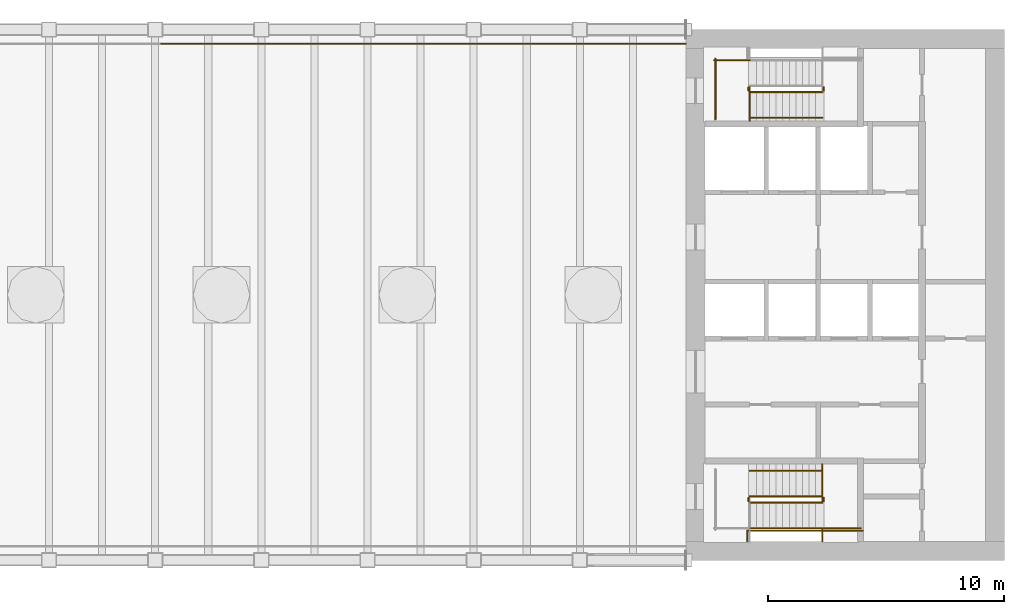
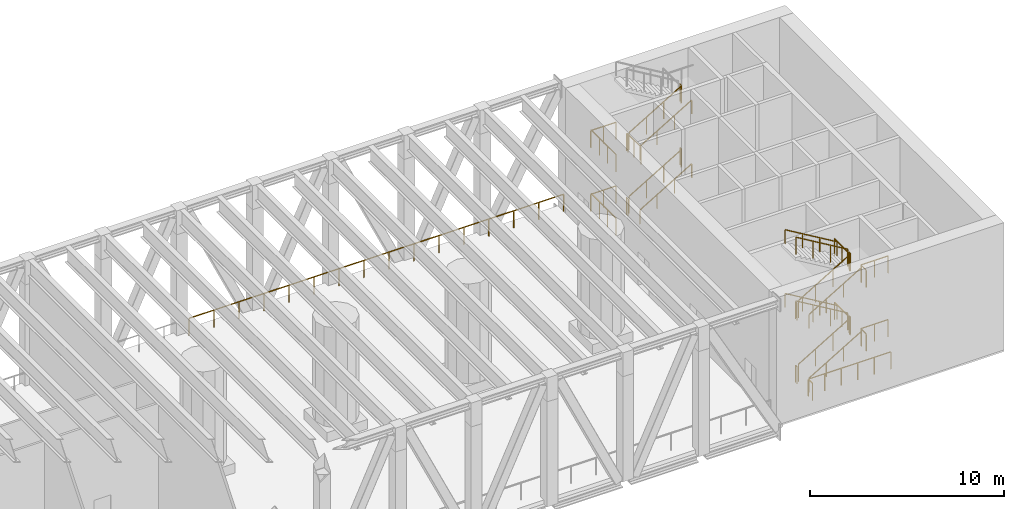
# One storey, part 8 of 11: 38 railings.
"""IFC4 building model written with IfcOpenShell, lengths in metres."""

import ifcopenshell
import ifcopenshell.guid

model = None  # the IFC model being written
_history = None  # IfcOwnerHistory: only IFC2X3 demands one
_inside = {}  # id of a spatial element -> (the spatial element, [elements in it])
_under = {}  # id of a project, library or spatial element -> (it, [spatial elements below it])
_declared = {}  # id of a project -> (the project, [libraries it declares])
_typed = {}  # id of a type object -> (the type object, [elements of that type])
_made_of = {}  # id of a material, layer set ... -> (it, [elements and type objects made of it])


def new_model(schema):
    """Start an empty IFC model of exactly this schema.

    Asked for "IFC4X3", IfcOpenShell would pick the latest addendum, in which some entities
    have other attributes; the version numbers below select the first issue.
    IFC2X3 requires an IfcOwnerHistory on every rooted entity: one is made here for all.
    """
    global model, _history
    if schema == "IFC4X3":
        model = ifcopenshell.file(schema_version=(4, 3, 0, 0))
    else:
        model = ifcopenshell.file(schema=schema)
    _inside.clear()
    _under.clear()
    _declared.clear()
    _typed.clear()
    _made_of.clear()
    _history = None
    if model.schema == "IFC2X3":
        org = make("IfcOrganization", Name="unknown")
        user = make(
            "IfcPersonAndOrganization",
            ThePerson=make("IfcPerson", FamilyName="unknown"),
            TheOrganization=org,
        )
        app = make(
            "IfcApplication",
            ApplicationDeveloper=org,
            Version="unknown",
            ApplicationFullName="unknown",
            ApplicationIdentifier="unknown",
        )
        _history = make(
            "IfcOwnerHistory",
            OwningUser=user,
            OwningApplication=app,
            ChangeAction="ADDED",
            CreationDate=0,
        )
    return model


def make(cls, **values):
    """One entity of the class cls with the attributes given. An attribute that is None is left unset."""
    return model.create_entity(
        cls, **{name: value for name, value in values.items() if value is not None}
    )


def rooted(cls, **values):
    """An entity with a GlobalId (a new one), such as an element, a storey or a relation."""
    return make(cls, GlobalId=ifcopenshell.guid.new(), OwnerHistory=_history, **values)


def si_unit(unit_type, name, prefix=None):
    """IfcSIUnit, for example si_unit("LENGTHUNIT", "METRE", prefix="MILLI")."""
    return make("IfcSIUnit", UnitType=unit_type, Prefix=prefix, Name=name)


def assignment(units):
    """IfcUnitAssignment: the units of a project."""
    return None if units is None else make("IfcUnitAssignment", Units=units)


def point(xyz):
    """IfcCartesianPoint."""
    return None if xyz is None else make("IfcCartesianPoint", Coordinates=xyz)


def direction(xyz):
    """IfcDirection."""
    return None if xyz is None else make("IfcDirection", DirectionRatios=xyz)


def frame(location, z_axis=None, x_axis=None):
    """IfcAxis2Placement3D, a coordinate frame: its origin and axes. An axis left out is left unset."""
    return make(
        "IfcAxis2Placement3D",
        Location=point(location),
        Axis=direction(z_axis),
        RefDirection=direction(x_axis),
    )


def frame_2d(location, x_axis=None):
    """IfcAxis2Placement2D, a coordinate frame in the plane: its origin and x axis."""
    return make(
        "IfcAxis2Placement2D", Location=point(location), RefDirection=direction(x_axis)
    )


def origin():
    """The frame at (0, 0, 0) with its axes left unset."""
    return frame((0.0, 0.0, 0.0))


def origin_2d():
    """The frame at (0, 0) in the plane with its x axis left unset."""
    return frame_2d((0.0, 0.0))


def place(relative_to, where):
    """IfcLocalPlacement: puts the frame where relative to a parent placement (None: the world)."""
    return make(
        "IfcLocalPlacement", PlacementRelTo=relative_to, RelativePlacement=where
    )


def context(
    kind, dimensions, precision=None, world=None, true_north=None, identifier=None
):
    """IfcGeometricRepresentationContext, for example the 3D "Model" context."""
    return make(
        "IfcGeometricRepresentationContext",
        ContextIdentifier=identifier,
        ContextType=kind,
        CoordinateSpaceDimension=dimensions,
        Precision=precision,
        WorldCoordinateSystem=world,
        TrueNorth=true_north,
    )


def subcontext(parent, identifier, kind, view, scale=None):
    """IfcGeometricRepresentationSubContext, for example "Body" below "Model"."""
    return make(
        "IfcGeometricRepresentationSubContext",
        ContextIdentifier=identifier,
        ContextType=kind,
        ParentContext=parent,
        TargetScale=scale,
        TargetView=view,
    )


def project(units=None, contexts=None):
    """IfcProject with its units and contexts."""
    return rooted(
        "IfcProject",
        Name="project",
        RepresentationContexts=contexts,
        UnitsInContext=assignment(units),
    )


def spatial(cls, under=None, at=None, **own):
    """A site, building, storey or space (cls), placed at a placement, below another one or the project."""
    s = rooted(cls, ObjectPlacement=at, **own)
    if under is not None:
        _under.setdefault(under.id(), (under, []))[1].append(s)
    return s


def profile(cls, at=None, kind="AREA", **sizes):
    """A parametric profile (cls). Its sizes go by their IFC names, for example OverallWidth=200.0."""
    return make(cls, ProfileType=kind, Position=at, **sizes)


def rectangle(**sizes):
    """IfcRectangleProfileDef."""
    return profile("IfcRectangleProfileDef", **sizes)


def extrude(swept, where, along, depth):
    """IfcExtrudedAreaSolid: the profile swept, set in the frame where, extruded along a direction by depth."""
    return make(
        "IfcExtrudedAreaSolid",
        SweptArea=swept,
        Position=where,
        ExtrudedDirection=direction(along),
        Depth=depth,
    )


def shape(context_of_items, identifier, shape_type, items):
    """IfcShapeRepresentation: the items that make up one representation, for example the "Body"."""
    return make(
        "IfcShapeRepresentation",
        ContextOfItems=context_of_items,
        RepresentationIdentifier=identifier,
        RepresentationType=shape_type,
        Items=items,
    )


def material(Name=None, Category=None):
    """IfcMaterial."""
    return make("IfcMaterial", Name=Name, Category=Category)


def made_of(thing, what):
    """Note that an element or type object is made of a material, layer set ...; save() writes the relation."""
    if what is not None:
        _made_of.setdefault(what.id(), (what, []))[1].append(thing)
    return thing


def type_object(cls, material=None, **own):
    """A type object (cls), such as IfcWallType, which elements share."""
    return made_of(rooted(cls, **own), material)


def element(
    cls,
    number,
    at=None,
    inside=None,
    cuts=None,
    type_object=None,
    material=None,
    context=None,
    identifier="Body",
    shape_type=None,
    held_by="IfcProductDefinitionShape",
    body=None,
    shapes=None,
    **own,
):
    """One element of the class cls, such as IfcWall. Its Tag is "e" and its number.

    at: its placement. inside: the storey or other place that contains it. cuts: it is an
    opening in that element (IfcRelVoidsElement). A single representation is given by context,
    identifier, shape_type and body (its items); several are given by shapes. held_by: the class
    of the entity that holds the representations. save() writes the other relations.
    """
    e = rooted(cls, Tag="e%d" % number, ObjectPlacement=at, **own)
    if body is not None:
        shapes = [shape(context, identifier, shape_type, body)]
    if shapes is not None:
        e.Representation = make(held_by, Representations=shapes)
    if inside is not None:
        _inside.setdefault(inside.id(), (inside, []))[1].append(e)
    if cuts is not None:
        rooted(
            "IfcRelVoidsElement", RelatingBuildingElement=cuts, RelatedOpeningElement=e
        )
    if type_object is not None:
        _typed.setdefault(type_object.id(), (type_object, []))[1].append(e)
    return made_of(e, material)


def aggregate(whole, parts):
    """IfcRelAggregates: a whole, such as a stair, and the parts it consists of."""
    return rooted("IfcRelAggregates", RelatingObject=whole, RelatedObjects=parts)


def save(model, path):
    """Write the relations noted so far, then the file.

    IfcRelAggregates (storeys below a building ...), IfcRelContainedInSpatialStructure (elements
    in a storey), IfcRelDefinesByType, IfcRelAssociatesMaterial and IfcRelDeclares: one each for
    every whole, place, type object, material and project.
    """
    for whole, parts in _under.values():
        aggregate(whole, parts)
    for where, things in _inside.values():
        rooted(
            "IfcRelContainedInSpatialStructure",
            RelatedElements=things,
            RelatingStructure=where,
        )
    for kind, things in _typed.values():
        rooted("IfcRelDefinesByType", RelatedObjects=things, RelatingType=kind)
    for what, things in _made_of.values():
        rooted("IfcRelAssociatesMaterial", RelatedObjects=things, RelatingMaterial=what)
    for by, libraries in _declared.values():
        rooted("IfcRelDeclares", RelatingContext=by, RelatedDefinitions=libraries)
    model.write(path)


model = new_model("IFC4")

# Units and contexts
model_context = context("Model", 3, precision=1e-05, world=origin(), true_north=direction((0.0, 1.0)))
body_context = subcontext(model_context, "Body", "Model", "MODEL_VIEW")
ifc_project = project(units=[si_unit("LENGTHUNIT", "METRE"), si_unit("AREAUNIT", "SQUARE_METRE"), si_unit("VOLUMEUNIT", "CUBIC_METRE"), si_unit("PLANEANGLEUNIT", "RADIAN"), si_unit("MASSUNIT", "GRAM", prefix="KILO")], contexts=[model_context])

# Site, building, storey
site_placement = place(None, origin())
site = spatial("IfcSite", under=ifc_project, at=site_placement, CompositionType="ELEMENT")
building_placement = place(site_placement, origin())
building = spatial("IfcBuilding", under=site, at=building_placement, Name="Sennacour Bend Tower", CompositionType="ELEMENT")
storey_placement = place(building_placement, frame((0.0, 0.0, 297.0)))
storey = spatial("IfcBuildingStorey", under=building, at=storey_placement, Name="L69", CompositionType="ELEMENT", Elevation=297.0)

# Railings
ifc_material_1 = material(Name="Stainless steel 316", Category="steel")
railing_type_1 = type_object("IfcRailingType", Name="GUARD 1100", PredefinedType="GUARDRAIL", material=ifc_material_1)
railing_1_placement = place(storey_placement, frame((31.74951171875, 21.89990234375, 0.0)))
element("IfcRailing", 1, at=railing_1_placement, inside=storey, type_object=railing_type_1, Name="Guard L69", PredefinedType="GUARDRAIL", context=body_context, shape_type="SweptSolid", body=[
    extrude(rectangle(XDim=0.048095703125, YDim=0.048095703125, at=origin_2d()), frame((0.0, 0.0, 1.076171875), z_axis=(1.0, 0.0, 0.0), x_axis=(0.0, 1.0, 0.0)), (0.0, 0.0, 1.0), 4.44970703125),
    extrude(rectangle(XDim=0.0419921875, YDim=0.0419921875, at=origin_2d()), origin(), (0.0, 0.0, 1.0), 1.052001953125),
    extrude(rectangle(XDim=0.0419921875, YDim=0.0419921875, at=origin_2d()), frame((1.483154296875, 0.0, 0.0)), (0.0, 0.0, 1.0), 1.052001953125),
    extrude(rectangle(XDim=0.0419921875, YDim=0.0419921875, at=origin_2d()), frame((2.966552734375, 0.0, 0.0)), (0.0, 0.0, 1.0), 1.052001953125),
    extrude(rectangle(XDim=0.0419921875, YDim=0.0419921875, at=origin_2d()), frame((4.44970703125, 0.0, 0.0)), (0.0, 0.0, 1.0), 1.052001953125),
])
railing_2_placement = place(storey_placement, frame((36.19921875, 21.89990234375, 0.0)))
element("IfcRailing", 2, at=railing_2_placement, inside=storey, type_object=railing_type_1, Name="Guard L69", PredefinedType="GUARDRAIL", context=body_context, shape_type="SweptSolid", body=[
    extrude(rectangle(XDim=0.048095703125, YDim=0.048095703125, at=origin_2d()), frame((0.0, 0.0, 1.076171875), z_axis=(1.0, 0.0, 0.0), x_axis=(0.0, 1.0, 0.0)), (0.0, 0.0, 1.0), 4.4501953125),
    extrude(rectangle(XDim=0.0419921875, YDim=0.0419921875, at=origin_2d()), origin(), (0.0, 0.0, 1.0), 1.052001953125),
    extrude(rectangle(XDim=0.0419921875, YDim=0.0419921875, at=origin_2d()), frame((1.4833984375, 0.0, 0.0)), (0.0, 0.0, 1.0), 1.052001953125),
    extrude(rectangle(XDim=0.0419921875, YDim=0.0419921875, at=origin_2d()), frame((2.966796875, 0.0, 0.0)), (0.0, 0.0, 1.0), 1.052001953125),
    extrude(rectangle(XDim=0.0419921875, YDim=0.0419921875, at=origin_2d()), frame((4.4501953125, 0.0, 0.0)), (0.0, 0.0, 1.0), 1.052001953125),
])
railing_3_placement = place(storey_placement, frame((40.6494140625, 21.89990234375, 0.0)))
element("IfcRailing", 3, at=railing_3_placement, inside=storey, type_object=railing_type_1, Name="Guard L69", PredefinedType="GUARDRAIL", context=body_context, shape_type="SweptSolid", body=[
    extrude(rectangle(XDim=0.048095703125, YDim=0.048095703125, at=origin_2d()), frame((0.0, 0.0, 1.076171875), z_axis=(1.0, 0.0, 0.0), x_axis=(0.0, 1.0, 0.0)), (0.0, 0.0, 1.0), 4.44970703125),
    extrude(rectangle(XDim=0.0419921875, YDim=0.0419921875, at=origin_2d()), origin(), (0.0, 0.0, 1.0), 1.052001953125),
    extrude(rectangle(XDim=0.0419921875, YDim=0.0419921875, at=origin_2d()), frame((1.483154296875, 0.0, 0.0)), (0.0, 0.0, 1.0), 1.052001953125),
    extrude(rectangle(XDim=0.0419921875, YDim=0.0419921875, at=origin_2d()), frame((2.966552734375, 0.0, 0.0)), (0.0, 0.0, 1.0), 1.052001953125),
    extrude(rectangle(XDim=0.0419921875, YDim=0.0419921875, at=origin_2d()), frame((4.44970703125, 0.0, 0.0)), (0.0, 0.0, 1.0), 1.052001953125),
])
for number, where, name in (
    (4, (45.09912109375, 21.89990234375, 0.0), "Guard L69"),
    (5, (49.549072265625, 21.89990234375, 0.0), "Guard L69"),
):
    element("IfcRailing", number, at=place(storey_placement, frame(where)), inside=storey, type_object=railing_type_1, Name=name, PredefinedType="GUARDRAIL", context=body_context, shape_type="SweptSolid", body=[
        extrude(rectangle(XDim=0.048095703125, YDim=0.048095703125, at=origin_2d()), frame((0.0, 0.0, 1.076171875), z_axis=(1.0, 0.0, 0.0), x_axis=(0.0, 1.0, 0.0)), (0.0, 0.0, 1.0), 4.449951171875),
        extrude(rectangle(XDim=0.0419921875, YDim=0.0419921875, at=origin_2d()), origin(), (0.0, 0.0, 1.0), 1.052001953125),
        extrude(rectangle(XDim=0.0419921875, YDim=0.0419921875, at=origin_2d()), frame((1.4833984375, 0.0, 0.0)), (0.0, 0.0, 1.0), 1.052001953125),
        extrude(rectangle(XDim=0.0419921875, YDim=0.0419921875, at=origin_2d()), frame((2.966552734375, 0.0, 0.0)), (0.0, 0.0, 1.0), 1.052001953125),
        extrude(rectangle(XDim=0.0419921875, YDim=0.0419921875, at=origin_2d()), frame((4.449951171875, 0.0, 0.0)), (0.0, 0.0, 1.0), 1.052001953125),
    ])
ifc_material_2 = material(Name="Stainless steel", Category="steel")
railing_type_2 = type_object("IfcRailingType", Name="RL-GUARD-1100", PredefinedType="GUARDRAIL", material=ifc_material_2)
railing_4_placement = place(storey_placement, frame((56.699951171875, 2.449951171875, 0.166748046875)))
element("IfcRailing", 6, at=railing_4_placement, inside=storey, type_object=railing_type_2, Name="L69 SA1 stair guard 1", PredefinedType="GUARDRAIL", context=body_context, shape_type="SweptSolid", body=[
    extrude(rectangle(XDim=0.048095703125, YDim=0.048095703125, at=origin_2d()), frame((0.0, 0.0, 1.076171875), z_axis=(0.859308565015, 0.0, 0.511457515432), x_axis=(0.0, 1.0, 0.0)), (0.0, 0.0, 1.0), 3.58447265625),
    extrude(rectangle(XDim=0.0419921875, YDim=0.0419921875, at=origin_2d()), origin(), (0.0, 0.0, 1.0), 1.052001953125),
    extrude(rectangle(XDim=0.0419921875, YDim=0.0419921875, at=origin_2d()), frame((1.026611328125, 0.0, 0.611083984375)), (0.0, 0.0, 1.0), 1.052001953125),
    extrude(rectangle(XDim=0.0419921875, YDim=0.0419921875, at=origin_2d()), frame((2.053466796875, 0.0, 1.22216796875)), (0.0, 0.0, 1.0), 1.052001953125),
    extrude(rectangle(XDim=0.0419921875, YDim=0.0419921875, at=origin_2d()), frame((3.080078125, 0.0, 1.833251953125)), (0.0, 0.0, 1.0), 1.052001953125),
])
railing_5_placement = place(storey_placement, frame((59.830078125, 2.5, 2.0)))
element("IfcRailing", 7, at=railing_5_placement, inside=storey, type_object=railing_type_2, Name="L69 SA1 stair guard 2", PredefinedType="GUARDRAIL", context=body_context, shape_type="SweptSolid", body=[
    extrude(rectangle(XDim=0.048095703125, YDim=0.048095703125, at=origin_2d()), frame((0.0, 0.0, 1.076171875), z_axis=(0.0, 1.0, 0.0), x_axis=(-1.0, 0.0, 0.0)), (0.0, 0.0, 1.0), 0.14990234375),
    extrude(rectangle(XDim=0.0419921875, YDim=0.0419921875, at=origin_2d()), origin(), (0.0, 0.0, 1.0), 1.052001953125),
    extrude(rectangle(XDim=0.0419921875, YDim=0.0419921875, at=origin_2d()), frame((0.0, 0.14990234375, 0.0)), (0.0, 0.0, 1.0), 1.052001953125),
])
railing_6_placement = place(storey_placement, frame((59.780029296875, 1.35009765625, 2.0)))
element("IfcRailing", 8, at=railing_6_placement, inside=storey, type_object=railing_type_2, Name="L69 SA1 stair guard 3", PredefinedType="GUARDRAIL", context=body_context, shape_type="SweptSolid", body=[
    extrude(rectangle(XDim=0.048095703125, YDim=0.048095703125, at=origin_2d()), frame((0.0, 0.0, 1.076171875), z_axis=(1.0, 0.0, 0.0), x_axis=(0.0, 1.0, 0.0)), (0.0, 0.0, 1.0), 1.619873046875),
    extrude(rectangle(XDim=0.0419921875, YDim=0.0419921875, at=origin_2d()), origin(), (0.0, 0.0, 1.0), 1.052001953125),
    extrude(rectangle(XDim=0.0419921875, YDim=0.0419921875, at=origin_2d()), frame((0.81005859375, 0.0, 0.0)), (0.0, 0.0, 1.0), 1.052001953125),
    extrude(rectangle(XDim=0.0419921875, YDim=0.0419921875, at=origin_2d()), frame((1.619873046875, 0.0, 0.0)), (0.0, 0.0, 1.0), 1.052001953125),
])
railing_7_placement = place(storey_placement, frame((59.780029296875, 2.699951171875, 2.166748046875)))
element("IfcRailing", 9, at=railing_7_placement, inside=storey, type_object=railing_type_2, Name="L69 SA1 stair guard 4", PredefinedType="GUARDRAIL", context=body_context, shape_type="SweptSolid", body=[
    extrude(rectangle(XDim=0.048095703125, YDim=0.048095703125, at=origin_2d()), frame((0.0, 0.0, 1.076171875), z_axis=(-0.859308565015, 0.0, 0.511457515432), x_axis=(0.0, -1.0, 0.0)), (0.0, 0.0, 1.0), 3.58447265625),
    extrude(rectangle(XDim=0.0419921875, YDim=0.0419921875, at=origin_2d()), origin(), (0.0, 0.0, 1.0), 1.052001953125),
    extrude(rectangle(XDim=0.0419921875, YDim=0.0419921875, at=origin_2d()), frame((-1.026611328125, 0.0, 0.611083984375)), (0.0, 0.0, 1.0), 1.052001953125),
    extrude(rectangle(XDim=0.0419921875, YDim=0.0419921875, at=origin_2d()), frame((-2.053466796875, 0.0, 1.22216796875)), (0.0, 0.0, 1.0), 1.052001953125),
    extrude(rectangle(XDim=0.0419921875, YDim=0.0419921875, at=origin_2d()), frame((-3.080078125, 0.0, 1.833251953125)), (0.0, 0.0, 1.0), 1.052001953125),
])
railing_8_placement = place(storey_placement, frame((56.64990234375, 2.5, 4.0)))
element("IfcRailing", 10, at=railing_8_placement, inside=storey, type_object=railing_type_2, Name="L69 SA1 stair guard 5", PredefinedType="GUARDRAIL", context=body_context, shape_type="SweptSolid", body=[
    extrude(rectangle(XDim=0.048095703125, YDim=0.048095703125, at=origin_2d()), frame((0.0, 0.0, 1.076171875), z_axis=(0.0, 1.0, 0.0), x_axis=(-1.0, 0.0, 0.0)), (0.0, 0.0, 1.0), 0.14990234375),
    extrude(rectangle(XDim=0.0419921875, YDim=0.0419921875, at=origin_2d()), origin(), (0.0, 0.0, 1.0), 1.052001953125),
    extrude(rectangle(XDim=0.0419921875, YDim=0.0419921875, at=origin_2d()), frame((0.0, 0.14990234375, 0.0)), (0.0, 0.0, 1.0), 1.052001953125),
])
railing_9_placement = place(storey_placement, frame((56.699951171875, 2.449951171875, 4.166748046875)))
element("IfcRailing", 11, at=railing_9_placement, inside=storey, type_object=railing_type_2, Name="L69 SA1 stair guard 8", PredefinedType="GUARDRAIL", context=body_context, shape_type="SweptSolid", body=[
    extrude(rectangle(XDim=0.048095703125, YDim=0.048095703125, at=origin_2d()), frame((0.0, 0.0, 1.076171875), z_axis=(0.859308565015, 0.0, 0.511457515432), x_axis=(0.0, 1.0, 0.0)), (0.0, 0.0, 1.0), 3.58447265625),
    extrude(rectangle(XDim=0.0419921875, YDim=0.0419921875, at=origin_2d()), origin(), (0.0, 0.0, 1.0), 1.052001953125),
    extrude(rectangle(XDim=0.0419921875, YDim=0.0419921875, at=origin_2d()), frame((1.026611328125, 0.0, 0.611083984375)), (0.0, 0.0, 1.0), 1.052001953125),
    extrude(rectangle(XDim=0.0419921875, YDim=0.0419921875, at=origin_2d()), frame((2.053466796875, 0.0, 1.22216796875)), (0.0, 0.0, 1.0), 1.052001953125),
    extrude(rectangle(XDim=0.0419921875, YDim=0.0419921875, at=origin_2d()), frame((3.080078125, 0.0, 1.833251953125)), (0.0, 0.0, 1.0), 1.052001953125),
])
railing_10_placement = place(storey_placement, frame((59.830078125, 2.5, 6.0)))
element("IfcRailing", 12, at=railing_10_placement, inside=storey, type_object=railing_type_2, Name="L69 SA1 stair guard 9", PredefinedType="GUARDRAIL", context=body_context, shape_type="SweptSolid", body=[
    extrude(rectangle(XDim=0.048095703125, YDim=0.048095703125, at=origin_2d()), frame((0.0, 0.0, 1.076171875), z_axis=(0.0, 1.0, 0.0), x_axis=(-1.0, 0.0, 0.0)), (0.0, 0.0, 1.0), 0.14990234375),
    extrude(rectangle(XDim=0.0419921875, YDim=0.0419921875, at=origin_2d()), origin(), (0.0, 0.0, 1.0), 1.052001953125),
    extrude(rectangle(XDim=0.0419921875, YDim=0.0419921875, at=origin_2d()), frame((0.0, 0.14990234375, 0.0)), (0.0, 0.0, 1.0), 1.052001953125),
])
railing_11_placement = place(storey_placement, frame((59.780029296875, 1.35009765625, 6.0)))
element("IfcRailing", 13, at=railing_11_placement, inside=storey, type_object=railing_type_2, Name="L69 SA1 stair guard 10", PredefinedType="GUARDRAIL", context=body_context, shape_type="SweptSolid", body=[
    extrude(rectangle(XDim=0.048095703125, YDim=0.048095703125, at=origin_2d()), frame((0.0, 0.0, 1.076171875), z_axis=(1.0, 0.0, 0.0), x_axis=(0.0, 1.0, 0.0)), (0.0, 0.0, 1.0), 1.619873046875),
    extrude(rectangle(XDim=0.0419921875, YDim=0.0419921875, at=origin_2d()), origin(), (0.0, 0.0, 1.0), 1.052001953125),
    extrude(rectangle(XDim=0.0419921875, YDim=0.0419921875, at=origin_2d()), frame((0.81005859375, 0.0, 0.0)), (0.0, 0.0, 1.0), 1.052001953125),
    extrude(rectangle(XDim=0.0419921875, YDim=0.0419921875, at=origin_2d()), frame((1.619873046875, 0.0, 0.0)), (0.0, 0.0, 1.0), 1.052001953125),
])
railing_12_placement = place(storey_placement, frame((59.780029296875, 2.699951171875, 6.166748046875)))
element("IfcRailing", 14, at=railing_12_placement, inside=storey, type_object=railing_type_2, Name="L69 SA1 stair guard 11", PredefinedType="GUARDRAIL", context=body_context, shape_type="SweptSolid", body=[
    extrude(rectangle(XDim=0.048095703125, YDim=0.048095703125, at=origin_2d()), frame((0.0, 0.0, 1.076171875), z_axis=(-0.859308565015, 0.0, 0.511457515432), x_axis=(0.0, -1.0, 0.0)), (0.0, 0.0, 1.0), 3.58447265625),
    extrude(rectangle(XDim=0.0419921875, YDim=0.0419921875, at=origin_2d()), origin(), (0.0, 0.0, 1.0), 1.052001953125),
    extrude(rectangle(XDim=0.0419921875, YDim=0.0419921875, at=origin_2d()), frame((-1.026611328125, 0.0, 0.611083984375)), (0.0, 0.0, 1.0), 1.052001953125),
    extrude(rectangle(XDim=0.0419921875, YDim=0.0419921875, at=origin_2d()), frame((-2.053466796875, 0.0, 1.22216796875)), (0.0, 0.0, 1.0), 1.052001953125),
    extrude(rectangle(XDim=0.0419921875, YDim=0.0419921875, at=origin_2d()), frame((-3.080078125, 0.0, 1.833251953125)), (0.0, 0.0, 1.0), 1.052001953125),
])
railing_13_placement = place(storey_placement, frame((56.64990234375, 2.5, 0.0)))
element("IfcRailing", 15, at=railing_13_placement, inside=storey, type_object=railing_type_2, Name="L69 SA1 stair guard 12", PredefinedType="GUARDRAIL", context=body_context, shape_type="SweptSolid", body=[
    extrude(rectangle(XDim=0.048095703125, YDim=0.048095703125, at=origin_2d()), frame((0.0, 0.0, 1.076171875), z_axis=(0.0, 1.0, 0.0), x_axis=(-1.0, 0.0, 0.0)), (0.0, 0.0, 1.0), 0.14990234375),
    extrude(rectangle(XDim=0.0419921875, YDim=0.0419921875, at=origin_2d()), origin(), (0.0, 0.0, 1.0), 1.052001953125),
    extrude(rectangle(XDim=0.0419921875, YDim=0.0419921875, at=origin_2d()), frame((0.0, 0.14990234375, 0.0)), (0.0, 0.0, 1.0), 1.052001953125),
])
railing_14_placement = place(storey_placement, frame((56.60009765625, 1.25, 0.0)))
element("IfcRailing", 16, at=railing_14_placement, inside=storey, type_object=railing_type_2, Name="L69 SA1 stair guard 15", PredefinedType="GUARDRAIL", context=body_context, shape_type="SweptSolid", body=[
    extrude(rectangle(XDim=0.048095703125, YDim=0.048095703125, at=origin_2d()), frame((0.0, 0.0, 1.076171875), z_axis=(1.0, 0.0, 0.0), x_axis=(0.0, 1.0, 0.0)), (0.0, 0.0, 1.0), 4.89990234375),
    extrude(rectangle(XDim=0.0419921875, YDim=0.0419921875, at=origin_2d()), origin(), (0.0, 0.0, 1.0), 1.052001953125),
    extrude(rectangle(XDim=0.0419921875, YDim=0.0419921875, at=origin_2d()), frame((0.97998046875, 0.0, 0.0)), (0.0, 0.0, 1.0), 1.052001953125),
    extrude(rectangle(XDim=0.0419921875, YDim=0.0419921875, at=origin_2d()), frame((1.9599609375, 0.0, 0.0)), (0.0, 0.0, 1.0), 1.052001953125),
    extrude(rectangle(XDim=0.0419921875, YDim=0.0419921875, at=origin_2d()), frame((2.93994140625, 0.0, 0.0)), (0.0, 0.0, 1.0), 1.052001953125),
    extrude(rectangle(XDim=0.0419921875, YDim=0.0419921875, at=origin_2d()), frame((3.919921875, 0.0, 0.0)), (0.0, 0.0, 1.0), 1.052001953125),
    extrude(rectangle(XDim=0.0419921875, YDim=0.0419921875, at=origin_2d()), frame((4.89990234375, 0.0, 0.0)), (0.0, 0.0, 1.0), 1.052001953125),
])
railing_15_placement = place(storey_placement, frame((59.780029296875, 0.800048828125, 2.0)))
element("IfcRailing", 17, at=railing_15_placement, inside=storey, type_object=railing_type_2, Name="L69 SA1 landing edge guard 108", PredefinedType="GUARDRAIL", context=body_context, shape_type="SweptSolid", body=[
    extrude(rectangle(XDim=0.048095703125, YDim=0.048095703125, at=origin_2d()), frame((0.0, 0.0, 1.076171875), z_axis=(0.0, 1.0, 0.0), x_axis=(-1.0, 0.0, 0.0)), (0.0, 0.0, 1.0), 0.5),
    extrude(rectangle(XDim=0.0419921875, YDim=0.0419921875, at=origin_2d()), origin(), (0.0, 0.0, 1.0), 1.052001953125),
    extrude(rectangle(XDim=0.0419921875, YDim=0.0419921875, at=origin_2d()), frame((0.0, 0.5, 0.0)), (0.0, 0.0, 1.0), 1.052001953125),
])
railing_16_placement = place(storey_placement, frame((59.780029296875, 2.5, 2.0)))
element("IfcRailing", 18, at=railing_16_placement, inside=storey, type_object=railing_type_2, Name="L69 SA1 landing edge guard 109", PredefinedType="GUARDRAIL", context=body_context, shape_type="SweptSolid", body=[
    extrude(rectangle(XDim=0.048095703125, YDim=0.048095703125, at=origin_2d()), frame((0.0, 0.0, 1.076171875), z_axis=(0.0, 1.0, 0.0), x_axis=(-1.0, 0.0, 0.0)), (0.0, 0.0, 1.0), 1.574951171875),
    extrude(rectangle(XDim=0.0419921875, YDim=0.0419921875, at=origin_2d()), origin(), (0.0, 0.0, 1.0), 1.052001953125),
    extrude(rectangle(XDim=0.0419921875, YDim=0.0419921875, at=origin_2d()), frame((0.0, 0.78759765625, 0.0)), (0.0, 0.0, 1.0), 1.052001953125),
    extrude(rectangle(XDim=0.0419921875, YDim=0.0419921875, at=origin_2d()), frame((0.0, 1.574951171875, 0.0)), (0.0, 0.0, 1.0), 1.052001953125),
])
railing_17_placement = place(storey_placement, frame((59.780029296875, 0.800048828125, 6.0)))
element("IfcRailing", 19, at=railing_17_placement, inside=storey, type_object=railing_type_2, Name="L69 SA1 landing edge guard 111", PredefinedType="GUARDRAIL", context=body_context, shape_type="SweptSolid", body=[
    extrude(rectangle(XDim=0.048095703125, YDim=0.048095703125, at=origin_2d()), frame((0.0, 0.0, 1.076171875), z_axis=(0.0, 1.0, 0.0), x_axis=(-1.0, 0.0, 0.0)), (0.0, 0.0, 1.0), 0.5),
    extrude(rectangle(XDim=0.0419921875, YDim=0.0419921875, at=origin_2d()), origin(), (0.0, 0.0, 1.0), 1.052001953125),
    extrude(rectangle(XDim=0.0419921875, YDim=0.0419921875, at=origin_2d()), frame((0.0, 0.5, 0.0)), (0.0, 0.0, 1.0), 1.052001953125),
])
railing_18_placement = place(storey_placement, frame((59.780029296875, 2.5, 6.0)))
element("IfcRailing", 20, at=railing_18_placement, inside=storey, type_object=railing_type_2, Name="L69 SA1 landing edge guard 112", PredefinedType="GUARDRAIL", context=body_context, shape_type="SweptSolid", body=[
    extrude(rectangle(XDim=0.048095703125, YDim=0.048095703125, at=origin_2d()), frame((0.0, 0.0, 1.076171875), z_axis=(0.0, 1.0, 0.0), x_axis=(-1.0, 0.0, 0.0)), (0.0, 0.0, 1.0), 1.574951171875),
    extrude(rectangle(XDim=0.0419921875, YDim=0.0419921875, at=origin_2d()), origin(), (0.0, 0.0, 1.0), 1.052001953125),
    extrude(rectangle(XDim=0.0419921875, YDim=0.0419921875, at=origin_2d()), frame((0.0, 0.78759765625, 0.0)), (0.0, 0.0, 1.0), 1.052001953125),
    extrude(rectangle(XDim=0.0419921875, YDim=0.0419921875, at=origin_2d()), frame((0.0, 1.574951171875, 0.0)), (0.0, 0.0, 1.0), 1.052001953125),
])
railing_19_placement = place(storey_placement, frame((56.60009765625, 1.25, 0.0)))
element("IfcRailing", 21, at=railing_19_placement, inside=storey, type_object=railing_type_2, Name="L69 SA1 landing edge guard 156", PredefinedType="GUARDRAIL", context=body_context, shape_type="SweptSolid", body=[
    extrude(rectangle(XDim=0.048095703125, YDim=0.048095703125, at=origin_2d()), frame((0.0, 0.0, 1.076171875), z_axis=(0.0, -1.0, 0.0), x_axis=(1.0, 0.0, 0.0)), (0.0, 0.0, 1.0), 0.449951171875),
    extrude(rectangle(XDim=0.0419921875, YDim=0.0419921875, at=origin_2d()), origin(), (0.0, 0.0, 1.0), 1.052001953125),
    extrude(rectangle(XDim=0.0419921875, YDim=0.0419921875, at=origin_2d()), frame((0.0, -0.449951171875, 0.0)), (0.0, 0.0, 1.0), 1.052001953125),
])
railing_20_placement = place(storey_placement, frame((56.699951171875, 19.85009765625, 0.166748046875)))
element("IfcRailing", 22, at=railing_20_placement, inside=storey, type_object=railing_type_2, Name="L69 SA2 stair guard 1", PredefinedType="GUARDRAIL", context=body_context, shape_type="SweptSolid", body=[
    extrude(rectangle(XDim=0.048095703125, YDim=0.048095703125, at=origin_2d()), frame((0.0, 0.0, 1.076171875), z_axis=(0.859308565015, 0.0, 0.511457515432), x_axis=(0.0, 1.0, 0.0)), (0.0, 0.0, 1.0), 3.58447265625),
    extrude(rectangle(XDim=0.0419921875, YDim=0.0419921875, at=origin_2d()), origin(), (0.0, 0.0, 1.0), 1.052001953125),
    extrude(rectangle(XDim=0.0419921875, YDim=0.0419921875, at=origin_2d()), frame((1.026611328125, 0.0, 0.611083984375)), (0.0, 0.0, 1.0), 1.052001953125),
    extrude(rectangle(XDim=0.0419921875, YDim=0.0419921875, at=origin_2d()), frame((2.053466796875, 0.0, 1.22216796875)), (0.0, 0.0, 1.0), 1.052001953125),
    extrude(rectangle(XDim=0.0419921875, YDim=0.0419921875, at=origin_2d()), frame((3.080078125, 0.0, 1.833251953125)), (0.0, 0.0, 1.0), 1.052001953125),
])
for number, where, name in (
    (23, (59.830078125, 19.89990234375, 2.0), "L69 SA2 stair guard 2"),
    (24, (56.64990234375, 19.89990234375, 4.0), "L69 SA2 stair guard 5"),
):
    element("IfcRailing", number, at=place(storey_placement, frame(where)), inside=storey, type_object=railing_type_2, Name=name, PredefinedType="GUARDRAIL", context=body_context, shape_type="SweptSolid", body=[
        extrude(rectangle(XDim=0.048095703125, YDim=0.048095703125, at=origin_2d()), frame((0.0, 0.0, 1.076171875), z_axis=(0.0, 1.0, 0.0), x_axis=(-1.0, 0.0, 0.0)), (0.0, 0.0, 1.0), 0.150146484375),
        extrude(rectangle(XDim=0.0419921875, YDim=0.0419921875, at=origin_2d()), origin(), (0.0, 0.0, 1.0), 1.052001953125),
        extrude(rectangle(XDim=0.0419921875, YDim=0.0419921875, at=origin_2d()), frame((0.0, 0.150146484375, 0.0)), (0.0, 0.0, 1.0), 1.052001953125),
    ])
railing_21_placement = place(storey_placement, frame((55.199951171875, 21.199951171875, 4.0)))
element("IfcRailing", 25, at=railing_21_placement, inside=storey, type_object=railing_type_2, Name="L69 SA2 stair guard 6", PredefinedType="GUARDRAIL", context=body_context, shape_type="SweptSolid", body=[
    extrude(rectangle(XDim=0.048095703125, YDim=0.048095703125, at=origin_2d()), frame((0.0, 0.0, 1.076171875), z_axis=(1.0, 0.0, 0.0), x_axis=(0.0, 1.0, 0.0)), (0.0, 0.0, 1.0), 1.5),
    extrude(rectangle(XDim=0.0419921875, YDim=0.0419921875, at=origin_2d()), origin(), (0.0, 0.0, 1.0), 1.052001953125),
    extrude(rectangle(XDim=0.0419921875, YDim=0.0419921875, at=origin_2d()), frame((0.75, 0.0, 0.0)), (0.0, 0.0, 1.0), 1.052001953125),
    extrude(rectangle(XDim=0.0419921875, YDim=0.0419921875, at=origin_2d()), frame((1.5, 0.0, 0.0)), (0.0, 0.0, 1.0), 1.052001953125),
])
railing_22_placement = place(storey_placement, frame((55.25, 18.699951171875, 4.0)))
element("IfcRailing", 26, at=railing_22_placement, inside=storey, type_object=railing_type_2, Name="L69 SA2 stair guard 7", PredefinedType="GUARDRAIL", context=body_context, shape_type="SweptSolid", body=[
    extrude(rectangle(XDim=0.048095703125, YDim=0.048095703125, at=origin_2d()), frame((0.0, 0.0, 1.076171875), z_axis=(0.0, 1.0, 0.0), x_axis=(-1.0, 0.0, 0.0)), (0.0, 0.0, 1.0), 2.550048828125),
    extrude(rectangle(XDim=0.0419921875, YDim=0.0419921875, at=origin_2d()), origin(), (0.0, 0.0, 1.0), 1.052001953125),
    extrude(rectangle(XDim=0.0419921875, YDim=0.0419921875, at=origin_2d()), frame((0.0, 0.85009765625, 0.0)), (0.0, 0.0, 1.0), 1.052001953125),
    extrude(rectangle(XDim=0.0419921875, YDim=0.0419921875, at=origin_2d()), frame((0.0, 1.699951171875, 0.0)), (0.0, 0.0, 1.0), 1.052001953125),
    extrude(rectangle(XDim=0.0419921875, YDim=0.0419921875, at=origin_2d()), frame((0.0, 2.550048828125, 0.0)), (0.0, 0.0, 1.0), 1.052001953125),
])
railing_23_placement = place(storey_placement, frame((56.699951171875, 19.85009765625, 4.166748046875)))
element("IfcRailing", 27, at=railing_23_placement, inside=storey, type_object=railing_type_2, Name="L69 SA2 stair guard 8", PredefinedType="GUARDRAIL", context=body_context, shape_type="SweptSolid", body=[
    extrude(rectangle(XDim=0.048095703125, YDim=0.048095703125, at=origin_2d()), frame((0.0, 0.0, 1.076171875), z_axis=(0.859308565015, 0.0, 0.511457515432), x_axis=(0.0, 1.0, 0.0)), (0.0, 0.0, 1.0), 3.58447265625),
    extrude(rectangle(XDim=0.0419921875, YDim=0.0419921875, at=origin_2d()), origin(), (0.0, 0.0, 1.0), 1.052001953125),
    extrude(rectangle(XDim=0.0419921875, YDim=0.0419921875, at=origin_2d()), frame((1.026611328125, 0.0, 0.611083984375)), (0.0, 0.0, 1.0), 1.052001953125),
    extrude(rectangle(XDim=0.0419921875, YDim=0.0419921875, at=origin_2d()), frame((2.053466796875, 0.0, 1.22216796875)), (0.0, 0.0, 1.0), 1.052001953125),
    extrude(rectangle(XDim=0.0419921875, YDim=0.0419921875, at=origin_2d()), frame((3.080078125, 0.0, 1.833251953125)), (0.0, 0.0, 1.0), 1.052001953125),
])
for number, where, name in (
    (28, (59.830078125, 19.89990234375, 6.0), "L69 SA2 stair guard 9"),
    (29, (56.64990234375, 19.89990234375, 0.0), "L69 SA2 stair guard 12"),
):
    element("IfcRailing", number, at=place(storey_placement, frame(where)), inside=storey, type_object=railing_type_2, Name=name, PredefinedType="GUARDRAIL", context=body_context, shape_type="SweptSolid", body=[
        extrude(rectangle(XDim=0.048095703125, YDim=0.048095703125, at=origin_2d()), frame((0.0, 0.0, 1.076171875), z_axis=(0.0, 1.0, 0.0), x_axis=(-1.0, 0.0, 0.0)), (0.0, 0.0, 1.0), 0.150146484375),
        extrude(rectangle(XDim=0.0419921875, YDim=0.0419921875, at=origin_2d()), origin(), (0.0, 0.0, 1.0), 1.052001953125),
        extrude(rectangle(XDim=0.0419921875, YDim=0.0419921875, at=origin_2d()), frame((0.0, 0.150146484375, 0.0)), (0.0, 0.0, 1.0), 1.052001953125),
    ])
railing_24_placement = place(storey_placement, frame((55.199951171875, 21.199951171875, 0.0)))
element("IfcRailing", 30, at=railing_24_placement, inside=storey, type_object=railing_type_2, Name="L69 SA2 stair guard 13", PredefinedType="GUARDRAIL", context=body_context, shape_type="SweptSolid", body=[
    extrude(rectangle(XDim=0.048095703125, YDim=0.048095703125, at=origin_2d()), frame((0.0, 0.0, 1.076171875), z_axis=(1.0, 0.0, 0.0), x_axis=(0.0, 1.0, 0.0)), (0.0, 0.0, 1.0), 1.5),
    extrude(rectangle(XDim=0.0419921875, YDim=0.0419921875, at=origin_2d()), origin(), (0.0, 0.0, 1.0), 1.052001953125),
    extrude(rectangle(XDim=0.0419921875, YDim=0.0419921875, at=origin_2d()), frame((0.75, 0.0, 0.0)), (0.0, 0.0, 1.0), 1.052001953125),
    extrude(rectangle(XDim=0.0419921875, YDim=0.0419921875, at=origin_2d()), frame((1.5, 0.0, 0.0)), (0.0, 0.0, 1.0), 1.052001953125),
])
railing_25_placement = place(storey_placement, frame((55.25, 18.699951171875, 0.0)))
element("IfcRailing", 31, at=railing_25_placement, inside=storey, type_object=railing_type_2, Name="L69 SA2 stair guard 14", PredefinedType="GUARDRAIL", context=body_context, shape_type="SweptSolid", body=[
    extrude(rectangle(XDim=0.048095703125, YDim=0.048095703125, at=origin_2d()), frame((0.0, 0.0, 1.076171875), z_axis=(0.0, 1.0, 0.0), x_axis=(-1.0, 0.0, 0.0)), (0.0, 0.0, 1.0), 2.550048828125),
    extrude(rectangle(XDim=0.0419921875, YDim=0.0419921875, at=origin_2d()), origin(), (0.0, 0.0, 1.0), 1.052001953125),
    extrude(rectangle(XDim=0.0419921875, YDim=0.0419921875, at=origin_2d()), frame((0.0, 0.85009765625, 0.0)), (0.0, 0.0, 1.0), 1.052001953125),
    extrude(rectangle(XDim=0.0419921875, YDim=0.0419921875, at=origin_2d()), frame((0.0, 1.699951171875, 0.0)), (0.0, 0.0, 1.0), 1.052001953125),
    extrude(rectangle(XDim=0.0419921875, YDim=0.0419921875, at=origin_2d()), frame((0.0, 2.550048828125, 0.0)), (0.0, 0.0, 1.0), 1.052001953125),
])
railing_26_placement = place(storey_placement, frame((56.699951171875, 20.050048828125, 4.0)))
element("IfcRailing", 32, at=railing_26_placement, inside=storey, type_object=railing_type_2, Name="L69 SA2 landing edge guard 91", PredefinedType="GUARDRAIL", context=body_context, shape_type="SweptSolid", body=[
    extrude(rectangle(XDim=0.048095703125, YDim=0.048095703125, at=origin_2d()), frame((0.0, 0.0, 1.076171875), z_axis=(0.0, -1.0, 0.0), x_axis=(1.0, 0.0, 0.0)), (0.0, 0.0, 1.0), 1.425048828125),
    extrude(rectangle(XDim=0.0419921875, YDim=0.0419921875, at=origin_2d()), origin(), (0.0, 0.0, 1.0), 1.052001953125),
    extrude(rectangle(XDim=0.0419921875, YDim=0.0419921875, at=origin_2d()), frame((0.0, -0.71240234375, 0.0)), (0.0, 0.0, 1.0), 1.052001953125),
    extrude(rectangle(XDim=0.0419921875, YDim=0.0419921875, at=origin_2d()), frame((0.0, -1.425048828125, 0.0)), (0.0, 0.0, 1.0), 1.052001953125),
])
railing_type_3 = type_object("IfcRailingType", Name="RL-HANDRAIL-900", PredefinedType="HANDRAIL", material=ifc_material_2)
railing_27_placement = place(storey_placement, frame((56.699951171875, 1.35009765625, 0.166748046875)))
element("IfcRailing", 33, at=railing_27_placement, inside=storey, type_object=railing_type_3, Name="L69 SA1 stair handrail 1", PredefinedType="HANDRAIL", context=body_context, shape_type="SweptSolid", body=[
    extrude(rectangle(XDim=0.048095703125, YDim=0.048095703125, at=origin_2d()), frame((0.0, 0.0, 0.8759765625), z_axis=(0.859308565015, 0.0, 0.511457515432), x_axis=(0.0, 1.0, 0.0)), (0.0, 0.0, 1.0), 3.58447265625),
    extrude(rectangle(XDim=0.0419921875, YDim=0.0419921875, at=origin_2d()), origin(), (0.0, 0.0, 1.0), 0.851806640625),
    extrude(rectangle(XDim=0.0419921875, YDim=0.0419921875, at=origin_2d()), frame((1.026611328125, 0.0, 0.611083984375)), (0.0, 0.0, 1.0), 0.851806640625),
    extrude(rectangle(XDim=0.0419921875, YDim=0.0419921875, at=origin_2d()), frame((2.053466796875, 0.0, 1.22216796875)), (0.0, 0.0, 1.0), 0.851806640625),
    extrude(rectangle(XDim=0.0419921875, YDim=0.0419921875, at=origin_2d()), frame((3.080078125, 0.0, 1.833251953125)), (0.0, 0.0, 1.0), 0.851806640625),
])
railing_28_placement = place(storey_placement, frame((59.780029296875, 3.800048828125, 2.166748046875)))
element("IfcRailing", 34, at=railing_28_placement, inside=storey, type_object=railing_type_3, Name="L69 SA1 stair handrail 2", PredefinedType="HANDRAIL", context=body_context, shape_type="SweptSolid", body=[
    extrude(rectangle(XDim=0.048095703125, YDim=0.048095703125, at=origin_2d()), frame((0.0, 0.0, 0.8759765625), z_axis=(-0.859308565015, 0.0, 0.511457515432), x_axis=(0.0, -1.0, 0.0)), (0.0, 0.0, 1.0), 3.58447265625),
    extrude(rectangle(XDim=0.0419921875, YDim=0.0419921875, at=origin_2d()), origin(), (0.0, 0.0, 1.0), 0.851806640625),
    extrude(rectangle(XDim=0.0419921875, YDim=0.0419921875, at=origin_2d()), frame((-1.026611328125, 0.0, 0.611083984375)), (0.0, 0.0, 1.0), 0.851806640625),
    extrude(rectangle(XDim=0.0419921875, YDim=0.0419921875, at=origin_2d()), frame((-2.053466796875, 0.0, 1.22216796875)), (0.0, 0.0, 1.0), 0.851806640625),
    extrude(rectangle(XDim=0.0419921875, YDim=0.0419921875, at=origin_2d()), frame((-3.080078125, 0.0, 1.833251953125)), (0.0, 0.0, 1.0), 0.851806640625),
])
railing_29_placement = place(storey_placement, frame((56.699951171875, 1.35009765625, 4.166748046875)))
element("IfcRailing", 35, at=railing_29_placement, inside=storey, type_object=railing_type_3, Name="L69 SA1 stair handrail 3", PredefinedType="HANDRAIL", context=body_context, shape_type="SweptSolid", body=[
    extrude(rectangle(XDim=0.048095703125, YDim=0.048095703125, at=origin_2d()), frame((0.0, 0.0, 0.8759765625), z_axis=(0.859308565015, 0.0, 0.511457515432), x_axis=(0.0, 1.0, 0.0)), (0.0, 0.0, 1.0), 3.58447265625),
    extrude(rectangle(XDim=0.0419921875, YDim=0.0419921875, at=origin_2d()), origin(), (0.0, 0.0, 1.0), 0.851806640625),
    extrude(rectangle(XDim=0.0419921875, YDim=0.0419921875, at=origin_2d()), frame((1.026611328125, 0.0, 0.611083984375)), (0.0, 0.0, 1.0), 0.851806640625),
    extrude(rectangle(XDim=0.0419921875, YDim=0.0419921875, at=origin_2d()), frame((2.053466796875, 0.0, 1.22216796875)), (0.0, 0.0, 1.0), 0.851806640625),
    extrude(rectangle(XDim=0.0419921875, YDim=0.0419921875, at=origin_2d()), frame((3.080078125, 0.0, 1.833251953125)), (0.0, 0.0, 1.0), 0.851806640625),
])
railing_30_placement = place(storey_placement, frame((59.780029296875, 3.800048828125, 6.166748046875)))
element("IfcRailing", 36, at=railing_30_placement, inside=storey, type_object=railing_type_3, Name="L69 SA1 stair handrail 4", PredefinedType="HANDRAIL", context=body_context, shape_type="SweptSolid", body=[
    extrude(rectangle(XDim=0.048095703125, YDim=0.048095703125, at=origin_2d()), frame((0.0, 0.0, 0.8759765625), z_axis=(-0.859308565015, 0.0, 0.511457515432), x_axis=(0.0, -1.0, 0.0)), (0.0, 0.0, 1.0), 3.58447265625),
    extrude(rectangle(XDim=0.0419921875, YDim=0.0419921875, at=origin_2d()), origin(), (0.0, 0.0, 1.0), 0.851806640625),
    extrude(rectangle(XDim=0.0419921875, YDim=0.0419921875, at=origin_2d()), frame((-1.026611328125, 0.0, 0.611083984375)), (0.0, 0.0, 1.0), 0.851806640625),
    extrude(rectangle(XDim=0.0419921875, YDim=0.0419921875, at=origin_2d()), frame((-2.053466796875, 0.0, 1.22216796875)), (0.0, 0.0, 1.0), 0.851806640625),
    extrude(rectangle(XDim=0.0419921875, YDim=0.0419921875, at=origin_2d()), frame((-3.080078125, 0.0, 1.833251953125)), (0.0, 0.0, 1.0), 0.851806640625),
])
for number, where, name in (
    (37, (56.699951171875, 18.75, 0.166748046875), "L69 SA2 stair handrail 1"),
    (38, (56.699951171875, 18.75, 4.166748046875), "L69 SA2 stair handrail 3"),
):
    element("IfcRailing", number, at=place(storey_placement, frame(where)), inside=storey, type_object=railing_type_3, Name=name, PredefinedType="HANDRAIL", context=body_context, shape_type="SweptSolid", body=[
        extrude(rectangle(XDim=0.048095703125, YDim=0.048095703125, at=origin_2d()), frame((0.0, 0.0, 0.8759765625), z_axis=(0.859308565015, 0.0, 0.511457515432), x_axis=(0.0, 1.0, 0.0)), (0.0, 0.0, 1.0), 3.58447265625),
        extrude(rectangle(XDim=0.0419921875, YDim=0.0419921875, at=origin_2d()), origin(), (0.0, 0.0, 1.0), 0.851806640625),
        extrude(rectangle(XDim=0.0419921875, YDim=0.0419921875, at=origin_2d()), frame((1.026611328125, 0.0, 0.611083984375)), (0.0, 0.0, 1.0), 0.851806640625),
        extrude(rectangle(XDim=0.0419921875, YDim=0.0419921875, at=origin_2d()), frame((2.053466796875, 0.0, 1.22216796875)), (0.0, 0.0, 1.0), 0.851806640625),
        extrude(rectangle(XDim=0.0419921875, YDim=0.0419921875, at=origin_2d()), frame((3.080078125, 0.0, 1.833251953125)), (0.0, 0.0, 1.0), 0.851806640625),
    ])

save(model, "model.ifc")
